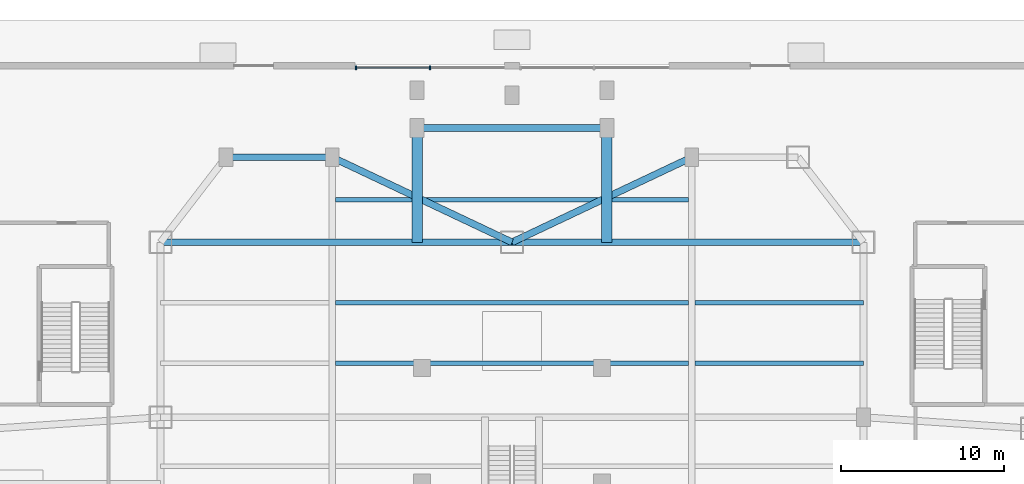
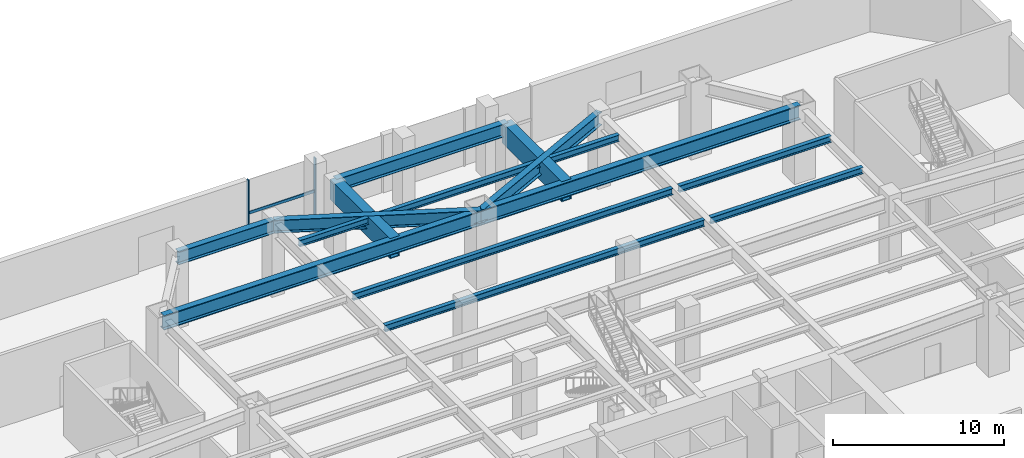
# One storey, part 2 of 11: 13 beams, 3 members, 1 element without a shape of its own.
"""IFC4 building model written with IfcOpenShell, lengths in metres."""

from ifc_helpers import new_model, si_unit, direction, frame, origin, origin_2d, place, context, subcontext, project, spatial, rectangle, hollow_rectangle, i_section, extrude, source, transform, mapped, material, material_profile, profile_set, type_object, type_shapes, element, aggregate, save


model = new_model("IFC4")

# Units and contexts
model_context = context("Model", 3, precision=1e-05, world=origin(), true_north=direction((0.0, 1.0)))
body_context = subcontext(model_context, "Body", "Model", "MODEL_VIEW")
ifc_project = project(units=[si_unit("LENGTHUNIT", "METRE"), si_unit("AREAUNIT", "SQUARE_METRE"), si_unit("VOLUMEUNIT", "CUBIC_METRE"), si_unit("PLANEANGLEUNIT", "RADIAN"), si_unit("MASSUNIT", "GRAM", prefix="KILO")], contexts=[model_context])

# Site, building, storey
site_placement = place(None, origin())
site = spatial("IfcSite", under=ifc_project, at=site_placement, CompositionType="ELEMENT")
building_placement = place(site_placement, origin())
building = spatial("IfcBuilding", under=site, at=building_placement, Name="Varnakhor Terracotta Tower", CompositionType="ELEMENT")
storey_placement = place(building_placement, origin())
storey = spatial("IfcBuildingStorey", under=building, at=storey_placement, Name="L00", CompositionType="ELEMENT", Elevation=0.0)

# Beams
ifc_material_1 = material(Name="Steel S355", Category="steel")
ifc_material_profile_1 = material_profile(ifc_material_1, i_section(OverallWidth=0.41796875, OverallDepth=0.927001953125, WebThickness=0.01904296875, FlangeThickness=0.031982421875, FilletRadius=0.01806640625, at=origin_2d()), Name="W36X231")
ifc_profile_set_1 = profile_set([ifc_material_profile_1], Name="Steel S355")
beam_type_1 = type_object("IfcBeamType", Name="BM-W36X231", PredefinedType="BEAM", material=ifc_profile_set_1)
shared_shape_1 = source(origin(), body_context, "Body", "SweptSolid", [
    extrude(i_section(OverallWidth=0.41796875, OverallDepth=0.927001953125, WebThickness=0.01904296875, FlangeThickness=0.031982421875, FilletRadius=0.01806640625, at=origin_2d()), origin(), (0.0, 0.0, 1.0), 6.5),
])
beam_1_placement = place(storey_placement, frame((-17.5, 44.39990234375, 4.6865234375), z_axis=(1.0, 0.0, 0.0), x_axis=(0.0, 1.0, 0.0)))
element("IfcBeam", 1, at=beam_1_placement, inside=storey, type_object=beam_type_1, Name="L00 Podium Ring Girder 6", PredefinedType="BEAM", context=body_context, shape_type="MappedRepresentation", body=[
    mapped(shared_shape_1, transform((0.0, 0.0, 0.0), scale=1.0)),
])
shared_shape_2 = source(origin(), body_context, "Body", "SweptSolid", [
    extrude(i_section(OverallWidth=0.41796875, OverallDepth=0.927001953125, WebThickness=0.01904296875, FlangeThickness=0.031982421875, FilletRadius=0.01806640625, at=origin_2d()), origin(), (0.0, 0.0, 1.0), 12.167236328125),
])
for number, where, z_axis, x_axis, name in (
    (2, (-11.0, 44.39990234375, 4.6865234375), (0.904073817094, -0.427376336787, 0.0), (0.427376336787, 0.904073817094, 0.0), "L00 Podium Ring Girder 7"),
    (3, (0.0, 39.199951171875, 4.6865234375), (0.904073817094, 0.427376336787, 0.0), (-0.427376336787, 0.904073817094, 0.0), "L00 Podium Ring Girder 8"),
):
    element("IfcBeam", number, at=place(storey_placement, frame(where, z_axis=z_axis, x_axis=x_axis)), inside=storey, type_object=beam_type_1, Name=name, PredefinedType="BEAM", context=body_context, shape_type="MappedRepresentation", body=[
        mapped(shared_shape_2, transform((0.0, 0.0, 0.0), scale=1.0)),
    ])
ifc_material_2 = material(Name="Steel S460", Category="steel")
ifc_material_profile_2 = material_profile(ifc_material_2, i_section(OverallWidth=0.419921875, OverallDepth=1.0400390625, WebThickness=0.031005859375, FlangeThickness=0.055908203125, FilletRadius=0.01806640625, at=origin_2d()), Name="W40X397")
ifc_profile_set_2 = profile_set([ifc_material_profile_2], Name="Steel S460")
beam_type_2 = type_object("IfcBeamType", Name="BM-W40X397", PredefinedType="BEAM", material=ifc_profile_set_2)
shared_shape_3 = source(origin(), body_context, "Body", "SweptSolid", [
    extrude(i_section(OverallWidth=0.419921875, OverallDepth=1.0400390625, WebThickness=0.031005859375, FlangeThickness=0.055908203125, FilletRadius=0.01806640625, at=origin_2d()), origin(), (0.0, 0.0, 1.0), 21.5),
])
for number, where, z_axis, x_axis, name in (
    (4, (-21.5, 39.199951171875, 4.6298828125), (1.0, 0.0, 0.0), (0.0, 1.0, 0.0), "L00 Podium Primary Girder GN2"),
    (5, (0.0, 39.199951171875, 4.6298828125), (1.0, 0.0, 0.0), (0.0, 1.0, 0.0), "L00 Podium Primary Girder GN3"),
):
    element("IfcBeam", number, at=place(storey_placement, frame(where, z_axis=z_axis, x_axis=x_axis)), inside=storey, type_object=beam_type_2, Name=name, PredefinedType="BEAM", context=body_context, shape_type="MappedRepresentation", body=[
        mapped(shared_shape_3, transform((0.0, 0.0, 0.0), scale=1.0)),
    ])
ifc_material_profile_3 = material_profile(ifc_material_1, i_section(OverallWidth=0.280029296875, OverallDepth=0.462890625, WebThickness=0.010986328125, FlangeThickness=0.01708984375, FilletRadius=0.01806640625, at=origin_2d()), Name="W18X76")
ifc_profile_set_3 = profile_set([ifc_material_profile_3], Name="Steel S355")
beam_type_3 = type_object("IfcBeamType", Name="JST-W18X76", PredefinedType="JOIST", material=ifc_profile_set_3)
shared_shape_4 = source(origin(), body_context, "Body", "SweptSolid", [
    extrude(i_section(OverallWidth=0.280029296875, OverallDepth=0.462890625, WebThickness=0.010986328125, FlangeThickness=0.01708984375, FilletRadius=0.01806640625, at=origin_2d()), origin(), (0.0, 0.0, 1.0), 10.2939453125),
])
type_shapes(beam_type_3, [shared_shape_4])
for number, where, z_axis, x_axis, name in (
    (6, (11.2060546875, 31.800048828125, 4.91845703125), (1.0, 0.0, 0.0), (0.0, 1.0, 0.0), "L00 Podium Joist 4E"),
    (7, (11.2060546875, 35.5, 4.91845703125), (1.0, 0.0, 0.0), (0.0, 1.0, 0.0), "L00 Podium Joist 5E"),
):
    element("IfcBeam", number, at=place(storey_placement, frame(where, z_axis=z_axis, x_axis=x_axis)), inside=storey, type_object=beam_type_3, Name=name, PredefinedType="JOIST", context=body_context, shape_type="MappedRepresentation", body=[
        mapped(shared_shape_4, transform((0.0, 0.0, 0.0), scale=1.0)),
    ])
shared_shape_5 = source(origin(), body_context, "Body", "SweptSolid", [
    extrude(i_section(OverallWidth=0.280029296875, OverallDepth=0.462890625, WebThickness=0.010986328125, FlangeThickness=0.01708984375, FilletRadius=0.01806640625, at=origin_2d()), origin(), (0.0, 0.0, 1.0), 21.587890625),
])
for number, where, z_axis, x_axis, name in (
    (8, (-10.7939453125, 31.800048828125, 4.91845703125), (1.0, 0.0, 0.0), (0.0, 1.0, 0.0), "L00 Podium Joist 4C"),
    (9, (-10.7939453125, 35.5, 4.91845703125), (1.0, 0.0, 0.0), (0.0, 1.0, 0.0), "L00 Podium Joist 5C"),
    (10, (-10.7939453125, 41.800048828125, 4.91845703125), (1.0, 0.0, 0.0), (0.0, 1.0, 0.0), "L00 Podium Joist 6C"),
):
    element("IfcBeam", number, at=place(storey_placement, frame(where, z_axis=z_axis, x_axis=x_axis)), inside=storey, type_object=beam_type_3, Name=name, PredefinedType="JOIST", context=body_context, shape_type="MappedRepresentation", body=[
        mapped(shared_shape_5, transform((0.0, 0.0, 0.0), scale=1.0)),
    ])
ifc_material_profile_4 = material_profile(ifc_material_2, hollow_rectangle(XDim=0.64990234375, YDim=1.43994140625, WallThickness=0.044921875, at=origin_2d()), Name="BOX1440X650X45")
ifc_profile_set_4 = profile_set([ifc_material_profile_4], Name="Steel S460")
beam_type_4 = type_object("IfcBeamType", Name="BM-BOX-1440X650", PredefinedType="BEAM", material=ifc_profile_set_4)
shared_shape_6 = source(origin(), body_context, "Body", "SweptSolid", [
    extrude(hollow_rectangle(XDim=0.64990234375, YDim=1.43994140625, WallThickness=0.044921875, at=origin_2d()), origin(), (0.0, 0.0, 1.0), 7.0),
])
type_shapes(beam_type_4, [shared_shape_6])
for number, where, z_axis, x_axis, name in (
    (11, (-5.800048828125, 39.199951171875, 4.429931640625), (0.0, 1.0, 0.0), (-1.0, 0.0, 0.0), "L00 Terrace Transfer Girder 1"),
    (12, (5.800048828125, 39.199951171875, 4.429931640625), (0.0, 1.0, 0.0), (-1.0, 0.0, 0.0), "L00 Terrace Transfer Girder 2"),
):
    element("IfcBeam", number, at=place(storey_placement, frame(where, z_axis=z_axis, x_axis=x_axis)), inside=storey, type_object=beam_type_4, Name=name, PredefinedType="BEAM", context=body_context, shape_type="MappedRepresentation", body=[
        mapped(shared_shape_6, transform((0.0, 0.0, 0.0), scale=1.0)),
    ])
shared_shape_7 = source(origin(), body_context, "Body", "SweptSolid", [
    extrude(i_section(OverallWidth=0.41796875, OverallDepth=0.927001953125, WebThickness=0.01904296875, FlangeThickness=0.031982421875, FilletRadius=0.01806640625, at=origin_2d()), origin(), (0.0, 0.0, 1.0), 11.60009765625),
])
beam_2_placement = place(storey_placement, frame((-5.800048828125, 46.199951171875, 4.6865234375), z_axis=(1.0, 0.0, 0.0), x_axis=(0.0, 1.0, 0.0)))
element("IfcBeam", 13, at=beam_2_placement, inside=storey, type_object=beam_type_1, Name="L00 Terrace North Rim Girder", PredefinedType="BEAM", context=body_context, shape_type="MappedRepresentation", body=[
    mapped(shared_shape_7, transform((0.0, 0.0, 0.0), scale=1.0)),
])

# Curtain wall, members
ifc_material_3 = material(Name="Anodised Aluminium Curtain Wall System", Category="aluminium")
curtain_wall_type = type_object("IfcCurtainWallType", Name="CW-SYS-PODIUM", PredefinedType="NOTDEFINED", material=ifc_material_3)
curtain_wall_placement = place(storey_placement, origin())
curtain_wall = element("IfcCurtainWall", 14, at=curtain_wall_placement, inside=storey, type_object=curtain_wall_type, Name="L00 North West Foyer Curtain Wall", PredefinedType="NOTDEFINED")
ifc_material_4 = material(Name="Anodised Aluminium 6063-T6", Category="aluminium")
ifc_material_profile_5 = material_profile(ifc_material_4, rectangle(XDim=0.0849609375, YDim=0.219970703125, at=origin_2d()), Name="ALU MULLION 85x220")
ifc_profile_set_5 = profile_set([ifc_material_profile_5], Name="Anodised Aluminium 6063-T6")
member_type_1 = type_object("IfcMemberType", Name="CWM-01", PredefinedType="MULLION", material=ifc_profile_set_5)
shared_shape_8 = source(origin(), body_context, "Body", "SweptSolid", [
    extrude(rectangle(XDim=0.0849609375, YDim=0.219970703125, at=origin_2d()), origin(), (0.0, 0.0, 1.0), 4.090087890625),
])
type_shapes(member_type_1, [shared_shape_8])
member_1_placement = place(storey_placement, frame((-9.5400390625, 49.8798828125, 0.0), z_axis=(0.0, 0.0, 1.0), x_axis=(1.0, 0.0, 0.0)))
member_1 = element("IfcMember", 15, at=member_1_placement, type_object=member_type_1, Name="L00 North West Foyer Curtain Wall Mullion 1", PredefinedType="MULLION", context=body_context, shape_type="MappedRepresentation", body=[
    mapped(shared_shape_8, transform((0.0, 0.0, 0.0), scale=1.0)),
])
member_2_placement = place(storey_placement, frame((-5.02490234375, 49.8798828125, 0.0), z_axis=(0.0, 0.0, 1.0), x_axis=(1.0, 0.0, 0.0)))
member_2 = element("IfcMember", 16, at=member_2_placement, type_object=member_type_1, Name="L00 North West Foyer Curtain Wall Mullion 2", PredefinedType="MULLION", context=body_context, shape_type="MappedRepresentation", body=[
    mapped(shared_shape_8, transform((0.0, 0.0, 0.0), scale=1.0)),
])
ifc_material_profile_6 = material_profile(ifc_material_4, rectangle(XDim=0.0849609375, YDim=0.199951171875, at=origin_2d()), Name="ALU TRANSOM 85x200")
ifc_profile_set_6 = profile_set([ifc_material_profile_6], Name="Anodised Aluminium 6063-T6")
member_type_2 = type_object("IfcMemberType", Name="CWT-01", PredefinedType="USERDEFINED", material=ifc_profile_set_6)
shared_shape_9 = source(origin(), body_context, "Body", "SweptSolid", [
    extrude(rectangle(XDim=0.0849609375, YDim=0.199951171875, at=origin_2d()), origin(), (0.0, 0.0, 1.0), 4.51513671875),
])
type_shapes(member_type_2, [shared_shape_9])
member_3_placement = place(storey_placement, frame((-9.5400390625, 49.8798828125, 1.7177734375), z_axis=(1.0, 0.0, 0.0), x_axis=(0.0, 1.0, 0.0)))
member_3 = element("IfcMember", 17, at=member_3_placement, type_object=member_type_2, Name="L00 North West Foyer Curtain Wall Transom 1", ObjectType="TRANSOM", PredefinedType="USERDEFINED", context=body_context, shape_type="MappedRepresentation", body=[
    mapped(shared_shape_9, transform((0.0, 0.0, 0.0), scale=1.0)),
])
aggregate(curtain_wall, [member_1, member_3, member_2])

save(model, "model.ifc")
